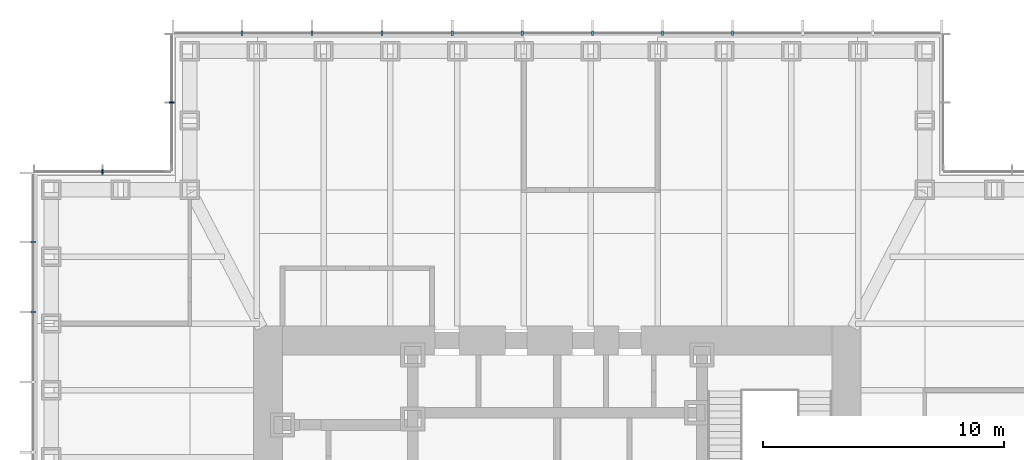
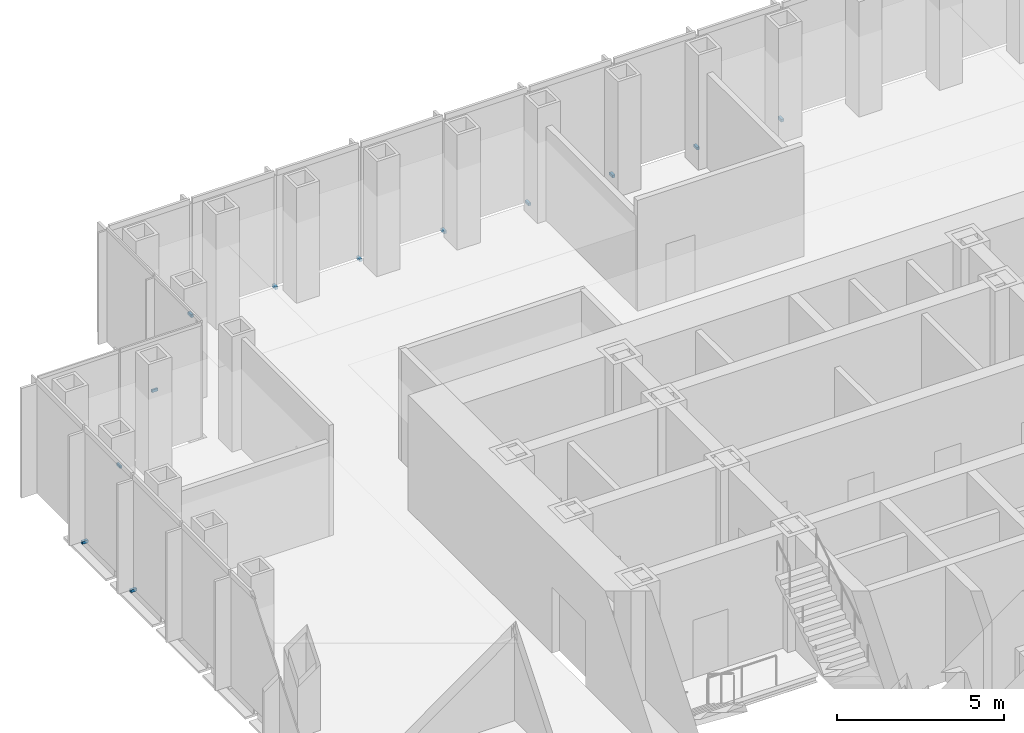
# One storey, part 14 of 16: 12 discrete accessories.
"""IFC4 building model written with IfcOpenShell, lengths in metres."""

from ifc_helpers import new_model, si_unit, direction, frame, origin, origin_2d, place, context, subcontext, project, spatial, rectangle, extrude, element, save


model = new_model("IFC4")

# Units and contexts
model_context = context("Model", 3, precision=1e-05, world=origin(), true_north=direction((0.0, 1.0)))
body_context = subcontext(model_context, "Body", "Model", "MODEL_VIEW")
ifc_project = project(units=[si_unit("LENGTHUNIT", "METRE"), si_unit("AREAUNIT", "SQUARE_METRE"), si_unit("VOLUMEUNIT", "CUBIC_METRE"), si_unit("PLANEANGLEUNIT", "RADIAN"), si_unit("MASSUNIT", "GRAM", prefix="KILO")], contexts=[model_context])

# Site, building, storey
site_placement = place(None, origin())
site = spatial("IfcSite", under=ifc_project, at=site_placement, CompositionType="ELEMENT")
building_placement = place(site_placement, origin())
building = spatial("IfcBuilding", under=site, at=building_placement, Name="Daluyong Arena Tower", CompositionType="ELEMENT")
storey_placement = place(building_placement, frame((0.0, 0.0, 267.10009765625)))
storey = spatial("IfcBuildingStorey", under=building, at=storey_placement, Name="L60", CompositionType="ELEMENT", Elevation=267.10009765625)

# Discrete accessories
for number, where, z_axis, x_axis, name in (
    (1, (63.272705078125, 101.75, -0.10009765625), (0.0, 0.0, 1.0), (-1.0, 0.0, 0.0), "curtain wall L60 N anchor bracket 4"),
    (2, (60.363525390625, 101.75, -0.10009765625), (0.0, 0.0, 1.0), (-1.0, 0.0, 0.0), "curtain wall L60 N anchor bracket 5"),
    (3, (57.45458984375, 101.75, -0.10009765625), (0.0, 0.0, 1.0), (-1.0, 0.0, 0.0), "curtain wall L60 N anchor bracket 6"),
    (4, (54.54541015625, 101.75, -0.10009765625), (0.0, 0.0, 1.0), (-1.0, 0.0, 0.0), "curtain wall L60 N anchor bracket 7"),
    (5, (51.636474609375, 101.75, -0.10009765625), (0.0, 0.0, 1.0), (-1.0, 0.0, 0.0), "curtain wall L60 N anchor bracket 8"),
    (6, (48.727294921875, 101.75, -0.10009765625), (0.0, 0.0, 1.0), (-1.0, 0.0, 0.0), "curtain wall L60 N anchor bracket 9"),
    (7, (45.818115234375, 101.75, -0.10009765625), (0.0, 0.0, 1.0), (-1.0, 0.0, 0.0), "curtain wall L60 N anchor bracket 10"),
    (8, (42.9091796875, 101.75, -0.10009765625), (0.0, 0.0, 1.0), (-1.0, 0.0, 0.0), "curtain wall L60 N anchor bracket 11"),
):
    element("IfcDiscreteAccessory", number, at=place(storey_placement, frame(where, z_axis=z_axis, x_axis=x_axis)), inside=storey, Name=name, PredefinedType="BRACKET", context=body_context, shape_type="SweptSolid", body=[
        extrude(rectangle(XDim=0.090087890625, YDim=0.199951171875, at=origin_2d()), origin(), (0.0, 0.0, 1.0), 0.10009765625),
    ])
for number, where, z_axis, x_axis, name in (
    (9, (40.0, 98.875, -0.10009765625), (0.0, 0.0, 1.0), (0.0, -1.0, 0.0), "curtain wall L60 NW-W anchor bracket 2"),
    (10, (37.125, 96.0, -0.10009765625), (0.0, 0.0, 1.0), (-1.0, 0.0, 0.0), "curtain wall L60 NW-N anchor bracket 2"),
):
    element("IfcDiscreteAccessory", number, at=place(storey_placement, frame(where, z_axis=z_axis, x_axis=x_axis)), inside=storey, Name=name, PredefinedType="BRACKET", context=body_context, shape_type="SweptSolid", body=[
        extrude(rectangle(XDim=0.06005859375, YDim=0.199951171875, at=origin_2d()), origin(), (0.0, 0.0, 1.0), 0.10009765625),
    ])
for number, where, z_axis, x_axis, name in (
    (11, (34.25, 93.0908203125, -0.10009765625), (0.0, 0.0, 1.0), (0.0, -1.0, 0.0), "curtain wall L60 W anchor bracket 2"),
    (12, (34.25, 90.181884765625, -0.10009765625), (0.0, 0.0, 1.0), (0.0, -1.0, 0.0), "curtain wall L60 W anchor bracket 3"),
):
    element("IfcDiscreteAccessory", number, at=place(storey_placement, frame(where, z_axis=z_axis, x_axis=x_axis)), inside=storey, Name=name, PredefinedType="BRACKET", context=body_context, shape_type="SweptSolid", body=[
        extrude(rectangle(XDim=0.090087890625, YDim=0.199951171875, at=origin_2d()), origin(), (0.0, 0.0, 1.0), 0.10009765625),
    ])

save(model, "model.ifc")
